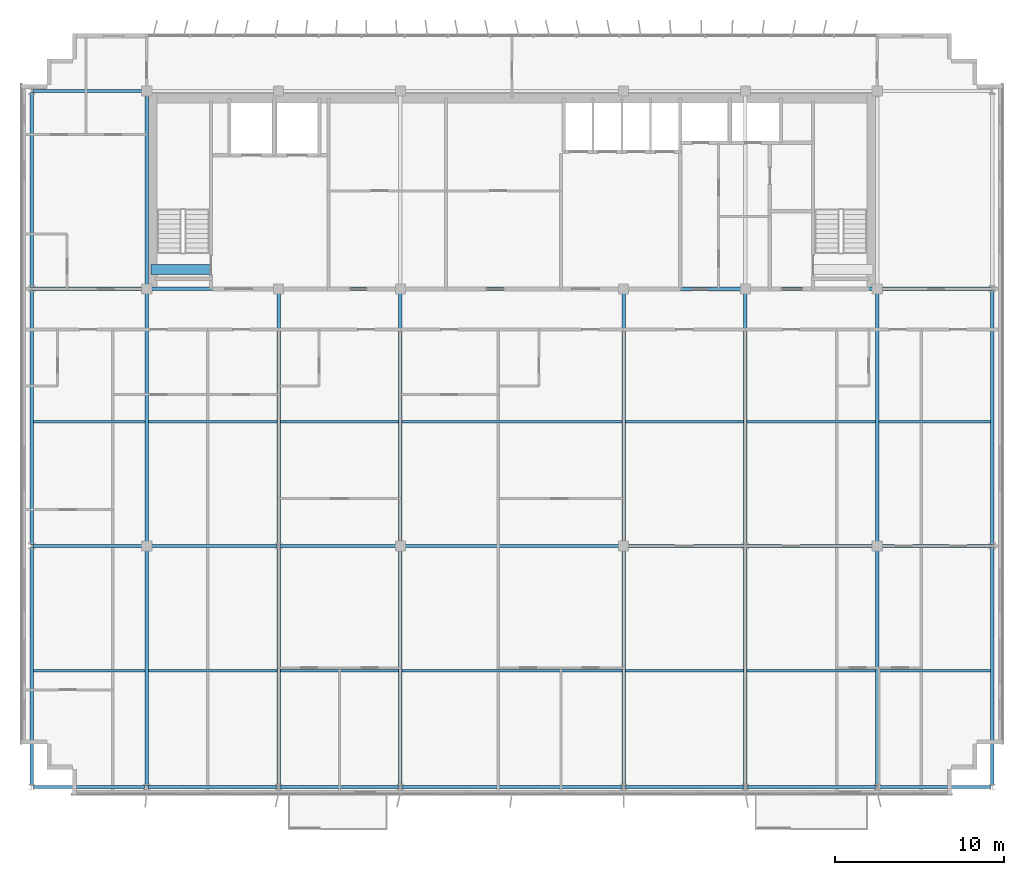
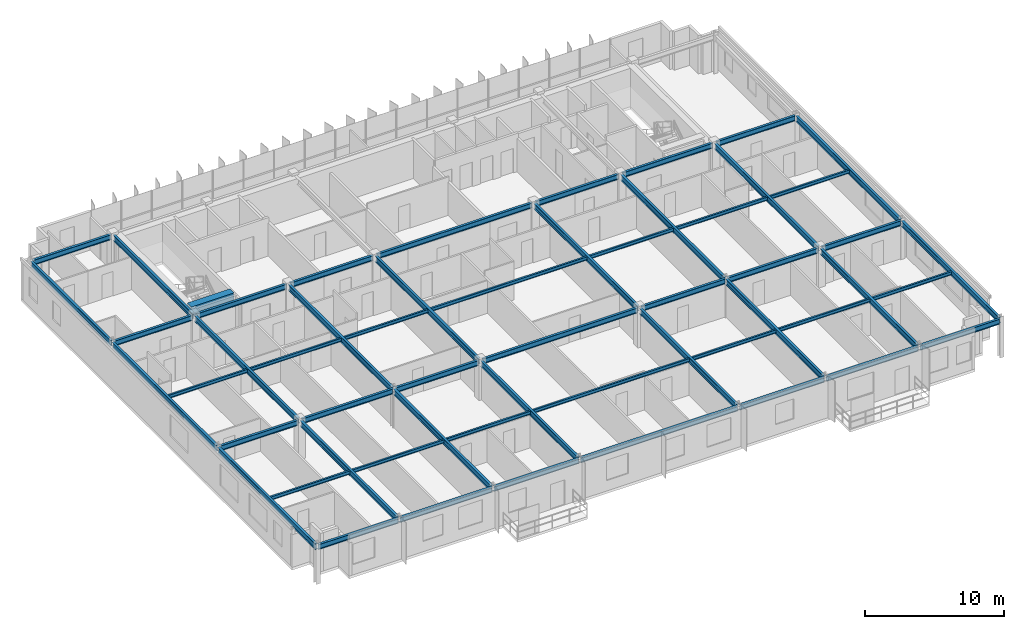
# One storey, part 5 of 23: 55 beams.
"""IFC4 building model written with IfcOpenShell, lengths in metres."""

from ifc_helpers import new_model, si_unit, direction, frame, origin, origin_2d, place, context, subcontext, project, spatial, rectangle, i_section, extrude, source, transform, mapped, material, material_profile, profile_set, type_object, element, save


model = new_model("IFC4")

# Units and contexts
model_context = context("Model", 3, precision=1e-05, world=origin(), true_north=direction((0.0, 1.0)))
body_context = subcontext(model_context, "Body", "Model", "MODEL_VIEW")
ifc_project = project(units=[si_unit("LENGTHUNIT", "METRE"), si_unit("AREAUNIT", "SQUARE_METRE"), si_unit("VOLUMEUNIT", "CUBIC_METRE"), si_unit("PLANEANGLEUNIT", "RADIAN"), si_unit("MASSUNIT", "GRAM", prefix="KILO")], contexts=[model_context])

# Site, building, storey
site_placement = place(None, origin())
site = spatial("IfcSite", under=ifc_project, at=site_placement, CompositionType="ELEMENT")
building_placement = place(site_placement, origin())
building = spatial("IfcBuilding", under=site, at=building_placement, Name="Trelvane Seafront Commons", CompositionType="ELEMENT")
storey_placement = place(building_placement, frame((0.0, 0.0, 263.10009765625)))
storey = spatial("IfcBuildingStorey", under=building, at=storey_placement, Name="L68", CompositionType="ELEMENT", Elevation=263.10009765625)

# Beams
ifc_material_1 = material(Name="Concrete C60/75", Category="concrete")
ifc_material_profile_1 = material_profile(ifc_material_1, rectangle(XDim=0.60009765625, YDim=0.89990234375, at=origin_2d()), Name="RC-600x900")
ifc_profile_set_1 = profile_set([ifc_material_profile_1], Name="Concrete C60/75")
beam_type_1 = type_object("IfcBeamType", Name="STR-LNT-RC600x900", PredefinedType="LINTEL", material=ifc_profile_set_1)
shared_shape_1 = source(origin(), body_context, "Body", "SweptSolid", [
    extrude(rectangle(XDim=0.60009765625, YDim=0.89990234375, at=origin_2d()), origin(), (0.0, 0.0, 1.0), 3.5498046875),
])
beam_1_placement = place(storey_placement, frame((15.85009765625, 34.550048828125, 2.919921875), z_axis=(1.0, 0.0, 0.0), x_axis=(0.0, 1.0, 0.0)))
element("IfcBeam", 1, at=beam_1_placement, inside=storey, type_object=beam_type_1, Name="L68 Core Coupling Lintel Beam CB-67", PredefinedType="LINTEL", context=body_context, shape_type="MappedRepresentation", body=[
    mapped(shared_shape_1, transform((0.0, 0.0, 0.0), x_axis=(1.0, 0.0, 0.0), y_axis=(0.0, 1.0, 0.0), z_axis=(0.0, 0.0, 1.0), scale=1.0)),
])
ifc_material_2 = material(Name="Steel SM355 (S355)", Category="steel")
ifc_material_profile_2 = material_profile(ifc_material_2, i_section(OverallWidth=0.199951171875, OverallDepth=0.5, WebThickness=0.010009765625, FlangeThickness=0.01611328125, at=origin_2d()), Name="H-500x200x10x16")
ifc_profile_set_2 = profile_set([ifc_material_profile_2], Name="Steel SM355 (S355)")
beam_type_2 = type_object("IfcBeamType", Name="STR-BM-H500", PredefinedType="BEAM", material=ifc_profile_set_2)
shared_shape_2 = source(origin(), body_context, "Body", "SweptSolid", [
    extrude(i_section(OverallWidth=0.199951171875, OverallDepth=0.5, WebThickness=0.010009765625, FlangeThickness=0.01611328125, at=origin_2d()), origin(), (0.0, 0.0, 1.0), 14.89990234375),
])
for number, where, z_axis, x_axis, name in (
    (2, (15.60009765625, 18.35009765625, 3.119873046875), (0.0, 1.0, 0.0), (-1.0, 0.0, 0.0), "L68 Primary Girder G-33"),
    (3, (30.60009765625, 18.35009765625, 3.119873046875), (0.0, 1.0, 0.0), (-1.0, 0.0, 0.0), "L68 Primary Girder G-39"),
    (4, (43.800048828125, 18.35009765625, 3.119873046875), (0.0, 1.0, 0.0), (-1.0, 0.0, 0.0), "L68 Primary Girder G-42"),
    (5, (58.800048828125, 18.35009765625, 3.119873046875), (0.0, 1.0, 0.0), (-1.0, 0.0, 0.0), "L68 Primary Girder G-48"),
):
    element("IfcBeam", number, at=place(storey_placement, frame(where, z_axis=z_axis, x_axis=x_axis)), inside=storey, type_object=beam_type_2, Name=name, PredefinedType="BEAM", context=body_context, shape_type="MappedRepresentation", body=[
        mapped(shared_shape_2, transform((0.0, 0.0, 0.0), x_axis=(1.0, 0.0, 0.0), y_axis=(0.0, 1.0, 0.0), z_axis=(0.0, 0.0, 1.0), scale=1.0)),
    ])
shared_shape_3 = source(origin(), body_context, "Body", "SweptSolid", [
    extrude(i_section(OverallWidth=0.199951171875, OverallDepth=0.5, WebThickness=0.010009765625, FlangeThickness=0.01611328125, at=origin_2d()), origin(), (0.0, 0.0, 1.0), 11.39990234375),
])
beam_2_placement = place(storey_placement, frame((15.60009765625, 33.550048828125, 3.119873046875), z_axis=(0.0, 1.0, 0.0), x_axis=(-1.0, 0.0, 0.0)))
element("IfcBeam", 6, at=beam_2_placement, inside=storey, type_object=beam_type_2, Name="L68 Primary Girder G-34", PredefinedType="BEAM", context=body_context, shape_type="MappedRepresentation", body=[
    mapped(shared_shape_3, transform((0.0, 0.0, 0.0), x_axis=(1.0, 0.0, 0.0), y_axis=(0.0, 1.0, 0.0), z_axis=(0.0, 0.0, 1.0), scale=1.0)),
])
ifc_material_profile_3 = material_profile(ifc_material_2, i_section(OverallWidth=0.199951171875, OverallDepth=0.449951171875, WebThickness=0.009033203125, FlangeThickness=0.013916015625, at=origin_2d()), Name="H-450x200x9x14")
ifc_profile_set_3 = profile_set([ifc_material_profile_3], Name="Steel SM355 (S355)")
beam_type_3 = type_object("IfcBeamType", Name="STR-SPD-H450", PredefinedType="SPANDREL", material=ifc_profile_set_3)
shared_shape_4 = source(origin(), body_context, "Body", "SweptSolid", [
    extrude(i_section(OverallWidth=0.199951171875, OverallDepth=0.449951171875, WebThickness=0.009033203125, FlangeThickness=0.013916015625, at=origin_2d()), origin(), (0.0, 0.0, 1.0), 6.625),
])
for number, where, z_axis, x_axis, name in (
    (7, (8.887451171875, 3.949951171875, 3.14501953125), (1.0, 0.0, 0.0), (0.0, 1.0, 0.0), "L68 Primary Girder G-01"),
    (8, (58.887451171875, 3.949951171875, 3.14501953125), (1.0, 0.0, 0.0), (0.0, 1.0, 0.0), "L68 Primary Girder G-07"),
):
    element("IfcBeam", number, at=place(storey_placement, frame(where, z_axis=z_axis, x_axis=x_axis)), inside=storey, type_object=beam_type_3, Name=name, PredefinedType="SPANDREL", context=body_context, shape_type="MappedRepresentation", body=[
        mapped(shared_shape_4, transform((0.0, 0.0, 0.0), x_axis=(1.0, 0.0, 0.0), y_axis=(0.0, 1.0, 0.0), z_axis=(0.0, 0.0, 1.0), scale=1.0)),
    ])
shared_shape_5 = source(origin(), body_context, "Body", "SweptSolid", [
    extrude(i_section(OverallWidth=0.199951171875, OverallDepth=0.449951171875, WebThickness=0.009033203125, FlangeThickness=0.013916015625, at=origin_2d()), origin(), (0.0, 0.0, 1.0), 7.625),
])
for number, where, z_axis, x_axis, name in (
    (9, (15.6875, 3.949951171875, 3.14501953125), (1.0, 0.0, 0.0), (0.0, 1.0, 0.0), "L68 Primary Girder G-02"),
    (10, (51.08740234375, 3.949951171875, 3.14501953125), (1.0, 0.0, 0.0), (0.0, 1.0, 0.0), "L68 Primary Girder G-06"),
):
    element("IfcBeam", number, at=place(storey_placement, frame(where, z_axis=z_axis, x_axis=x_axis)), inside=storey, type_object=beam_type_3, Name=name, PredefinedType="SPANDREL", context=body_context, shape_type="MappedRepresentation", body=[
        mapped(shared_shape_5, transform((0.0, 0.0, 0.0), x_axis=(1.0, 0.0, 0.0), y_axis=(0.0, 1.0, 0.0), z_axis=(0.0, 0.0, 1.0), scale=1.0)),
    ])
shared_shape_6 = source(origin(), body_context, "Body", "SweptSolid", [
    extrude(i_section(OverallWidth=0.199951171875, OverallDepth=0.449951171875, WebThickness=0.009033203125, FlangeThickness=0.013916015625, at=origin_2d()), origin(), (0.0, 0.0, 1.0), 7.02490234375),
])
beam_3_placement = place(storey_placement, frame((23.487548828125, 3.949951171875, 3.14501953125), z_axis=(1.0, 0.0, 0.0), x_axis=(0.0, 1.0, 0.0)))
element("IfcBeam", 11, at=beam_3_placement, inside=storey, type_object=beam_type_3, Name="L68 Primary Girder G-03", PredefinedType="SPANDREL", context=body_context, shape_type="MappedRepresentation", body=[
    mapped(shared_shape_6, transform((0.0, 0.0, 0.0), x_axis=(1.0, 0.0, 0.0), y_axis=(0.0, 1.0, 0.0), z_axis=(0.0, 0.0, 1.0), scale=1.0)),
])
shared_shape_7 = source(origin(), body_context, "Body", "SweptSolid", [
    extrude(i_section(OverallWidth=0.199951171875, OverallDepth=0.449951171875, WebThickness=0.009033203125, FlangeThickness=0.013916015625, at=origin_2d()), origin(), (0.0, 0.0, 1.0), 7.025146484375),
])
beam_4_placement = place(storey_placement, frame((43.887451171875, 3.949951171875, 3.14501953125), z_axis=(1.0, 0.0, 0.0), x_axis=(0.0, 1.0, 0.0)))
element("IfcBeam", 12, at=beam_4_placement, inside=storey, type_object=beam_type_3, Name="L68 Primary Girder G-05", PredefinedType="SPANDREL", context=body_context, shape_type="MappedRepresentation", body=[
    mapped(shared_shape_7, transform((0.0, 0.0, 0.0), x_axis=(1.0, 0.0, 0.0), y_axis=(0.0, 1.0, 0.0), z_axis=(0.0, 0.0, 1.0), scale=1.0)),
])
shared_shape_8 = source(origin(), body_context, "Body", "SweptSolid", [
    extrude(i_section(OverallWidth=0.199951171875, OverallDepth=0.449951171875, WebThickness=0.009033203125, FlangeThickness=0.013916015625, at=origin_2d()), origin(), (0.0, 0.0, 1.0), 6.5625),
])
for number, where, z_axis, x_axis, name in (
    (13, (8.887451171875, 18.199951171875, 3.14501953125), (1.0, 0.0, 0.0), (0.0, 1.0, 0.0), "L68 Primary Girder G-08"),
    (14, (58.949951171875, 18.199951171875, 3.14501953125), (1.0, 0.0, 0.0), (0.0, 1.0, 0.0), "L68 Primary Girder G-14"),
    (15, (8.887451171875, 33.39990234375, 3.14501953125), (1.0, 0.0, 0.0), (0.0, 1.0, 0.0), "L68 Primary Girder G-15"),
    (16, (58.949951171875, 33.39990234375, 3.14501953125), (1.0, 0.0, 0.0), (0.0, 1.0, 0.0), "L68 Primary Girder G-21"),
    (17, (8.887451171875, 45.10009765625, 3.14501953125), (1.0, 0.0, 0.0), (0.0, 1.0, 0.0), "L68 Primary Girder G-22"),
):
    element("IfcBeam", number, at=place(storey_placement, frame(where, z_axis=z_axis, x_axis=x_axis)), inside=storey, type_object=beam_type_3, Name=name, PredefinedType="SPANDREL", context=body_context, shape_type="MappedRepresentation", body=[
        mapped(shared_shape_8, transform((0.0, 0.0, 0.0), x_axis=(1.0, 0.0, 0.0), y_axis=(0.0, 1.0, 0.0), z_axis=(0.0, 0.0, 1.0), scale=1.0)),
    ])
shared_shape_9 = source(origin(), body_context, "Body", "SweptSolid", [
    extrude(i_section(OverallWidth=0.199951171875, OverallDepth=0.449951171875, WebThickness=0.009033203125, FlangeThickness=0.013916015625, at=origin_2d()), origin(), (0.0, 0.0, 1.0), 7.5625),
])
for number, where, z_axis, x_axis, name in (
    (18, (15.75, 18.199951171875, 3.14501953125), (1.0, 0.0, 0.0), (0.0, 1.0, 0.0), "L68 Primary Girder G-09"),
    (19, (51.08740234375, 18.199951171875, 3.14501953125), (1.0, 0.0, 0.0), (0.0, 1.0, 0.0), "L68 Primary Girder G-13"),
):
    element("IfcBeam", number, at=place(storey_placement, frame(where, z_axis=z_axis, x_axis=x_axis)), inside=storey, type_object=beam_type_3, Name=name, PredefinedType="SPANDREL", context=body_context, shape_type="MappedRepresentation", body=[
        mapped(shared_shape_9, transform((0.0, 0.0, 0.0), x_axis=(1.0, 0.0, 0.0), y_axis=(0.0, 1.0, 0.0), z_axis=(0.0, 0.0, 1.0), scale=1.0)),
    ])
shared_shape_10 = source(origin(), body_context, "Body", "SweptSolid", [
    extrude(i_section(OverallWidth=0.199951171875, OverallDepth=0.449951171875, WebThickness=0.009033203125, FlangeThickness=0.013916015625, at=origin_2d()), origin(), (0.0, 0.0, 1.0), 6.96240234375),
])
beam_5_placement = place(storey_placement, frame((23.487548828125, 18.199951171875, 3.14501953125), z_axis=(1.0, 0.0, 0.0), x_axis=(0.0, 1.0, 0.0)))
element("IfcBeam", 20, at=beam_5_placement, inside=storey, type_object=beam_type_3, Name="L68 Primary Girder G-10", PredefinedType="SPANDREL", context=body_context, shape_type="MappedRepresentation", body=[
    mapped(shared_shape_10, transform((0.0, 0.0, 0.0), x_axis=(1.0, 0.0, 0.0), y_axis=(0.0, 1.0, 0.0), z_axis=(0.0, 0.0, 1.0), scale=1.0)),
])
shared_shape_11 = source(origin(), body_context, "Body", "SweptSolid", [
    extrude(i_section(OverallWidth=0.199951171875, OverallDepth=0.449951171875, WebThickness=0.009033203125, FlangeThickness=0.013916015625, at=origin_2d()), origin(), (0.0, 0.0, 1.0), 6.962646484375),
])
beam_6_placement = place(storey_placement, frame((43.949951171875, 18.199951171875, 3.14501953125), z_axis=(1.0, 0.0, 0.0), x_axis=(0.0, 1.0, 0.0)))
element("IfcBeam", 21, at=beam_6_placement, inside=storey, type_object=beam_type_3, Name="L68 Primary Girder G-12", PredefinedType="SPANDREL", context=body_context, shape_type="MappedRepresentation", body=[
    mapped(shared_shape_11, transform((0.0, 0.0, 0.0), x_axis=(1.0, 0.0, 0.0), y_axis=(0.0, 1.0, 0.0), z_axis=(0.0, 0.0, 1.0), scale=1.0)),
])
shared_shape_12 = source(origin(), body_context, "Body", "SweptSolid", [
    extrude(i_section(OverallWidth=0.199951171875, OverallDepth=0.449951171875, WebThickness=0.009033203125, FlangeThickness=0.013916015625, at=origin_2d()), origin(), (0.0, 0.0, 1.0), 7.5),
])
for number, where, z_axis, x_axis, name in (
    (22, (15.75, 33.39990234375, 3.14501953125), (1.0, 0.0, 0.0), (0.0, 1.0, 0.0), "L68 Primary Girder G-16"),
    (23, (51.14990234375, 33.39990234375, 3.14501953125), (1.0, 0.0, 0.0), (0.0, 1.0, 0.0), "L68 Primary Girder G-20"),
):
    element("IfcBeam", number, at=place(storey_placement, frame(where, z_axis=z_axis, x_axis=x_axis)), inside=storey, type_object=beam_type_3, Name=name, PredefinedType="SPANDREL", context=body_context, shape_type="MappedRepresentation", body=[
        mapped(shared_shape_12, transform((0.0, 0.0, 0.0), x_axis=(1.0, 0.0, 0.0), y_axis=(0.0, 1.0, 0.0), z_axis=(0.0, 0.0, 1.0), scale=1.0)),
    ])
shared_shape_13 = source(origin(), body_context, "Body", "SweptSolid", [
    extrude(i_section(OverallWidth=0.199951171875, OverallDepth=0.449951171875, WebThickness=0.009033203125, FlangeThickness=0.013916015625, at=origin_2d()), origin(), (0.0, 0.0, 1.0), 6.89990234375),
])
beam_7_placement = place(storey_placement, frame((23.550048828125, 33.39990234375, 3.14501953125), z_axis=(1.0, 0.0, 0.0), x_axis=(0.0, 1.0, 0.0)))
element("IfcBeam", 24, at=beam_7_placement, inside=storey, type_object=beam_type_3, Name="L68 Primary Girder G-17", PredefinedType="SPANDREL", context=body_context, shape_type="MappedRepresentation", body=[
    mapped(shared_shape_13, transform((0.0, 0.0, 0.0), x_axis=(1.0, 0.0, 0.0), y_axis=(0.0, 1.0, 0.0), z_axis=(0.0, 0.0, 1.0), scale=1.0)),
])
shared_shape_14 = source(origin(), body_context, "Body", "SweptSolid", [
    extrude(i_section(OverallWidth=0.199951171875, OverallDepth=0.449951171875, WebThickness=0.009033203125, FlangeThickness=0.013916015625, at=origin_2d()), origin(), (0.0, 0.0, 1.0), 12.89990234375),
])
for number, where, z_axis, x_axis, name in (
    (25, (30.75, 18.199951171875, 3.14501953125), (1.0, 0.0, 0.0), (0.0, 1.0, 0.0), "L68 Primary Girder G-11"),
    (26, (30.75, 33.39990234375, 3.14501953125), (1.0, 0.0, 0.0), (0.0, 1.0, 0.0), "L68 Primary Girder G-18"),
):
    element("IfcBeam", number, at=place(storey_placement, frame(where, z_axis=z_axis, x_axis=x_axis)), inside=storey, type_object=beam_type_3, Name=name, PredefinedType="SPANDREL", context=body_context, shape_type="MappedRepresentation", body=[
        mapped(shared_shape_14, transform((0.0, 0.0, 0.0), x_axis=(1.0, 0.0, 0.0), y_axis=(0.0, 1.0, 0.0), z_axis=(0.0, 0.0, 1.0), scale=1.0)),
    ])
shared_shape_15 = source(origin(), body_context, "Body", "SweptSolid", [
    extrude(i_section(OverallWidth=0.199951171875, OverallDepth=0.449951171875, WebThickness=0.009033203125, FlangeThickness=0.013916015625, at=origin_2d()), origin(), (0.0, 0.0, 1.0), 6.900146484375),
])
beam_8_placement = place(storey_placement, frame((43.949951171875, 33.39990234375, 3.14501953125), z_axis=(1.0, 0.0, 0.0), x_axis=(0.0, 1.0, 0.0)))
element("IfcBeam", 27, at=beam_8_placement, inside=storey, type_object=beam_type_3, Name="L68 Primary Girder G-19", PredefinedType="SPANDREL", context=body_context, shape_type="MappedRepresentation", body=[
    mapped(shared_shape_15, transform((0.0, 0.0, 0.0), x_axis=(1.0, 0.0, 0.0), y_axis=(0.0, 1.0, 0.0), z_axis=(0.0, 0.0, 1.0), scale=1.0)),
])
shared_shape_16 = source(origin(), body_context, "Body", "SweptSolid", [
    extrude(i_section(OverallWidth=0.199951171875, OverallDepth=0.5, WebThickness=0.010009765625, FlangeThickness=0.01611328125, at=origin_2d()), origin(), (0.0, 0.0, 1.0), 14.074951171875),
])
for number, where, z_axis, x_axis, name in (
    (28, (8.800048828125, 4.03759765625, 3.119873046875), (0.0, 1.0, 0.0), (-1.0, 0.0, 0.0), "L68 Primary Girder G-29"),
    (29, (23.39990234375, 4.03759765625, 3.119873046875), (0.0, 1.0, 0.0), (-1.0, 0.0, 0.0), "L68 Primary Girder G-35"),
    (30, (51.0, 4.03759765625, 3.119873046875), (0.0, 1.0, 0.0), (-1.0, 0.0, 0.0), "L68 Primary Girder G-44"),
    (31, (65.60009765625, 4.03759765625, 3.119873046875), (0.0, 1.0, 0.0), (-1.0, 0.0, 0.0), "L68 Primary Girder G-50"),
):
    element("IfcBeam", number, at=place(storey_placement, frame(where, z_axis=z_axis, x_axis=x_axis)), inside=storey, type_object=beam_type_2, Name=name, PredefinedType="BEAM", context=body_context, shape_type="MappedRepresentation", body=[
        mapped(shared_shape_16, transform((0.0, 0.0, 0.0), x_axis=(1.0, 0.0, 0.0), y_axis=(0.0, 1.0, 0.0), z_axis=(0.0, 0.0, 1.0), scale=1.0)),
    ])
shared_shape_17 = source(origin(), body_context, "Body", "SweptSolid", [
    extrude(i_section(OverallWidth=0.199951171875, OverallDepth=0.5, WebThickness=0.010009765625, FlangeThickness=0.01611328125, at=origin_2d()), origin(), (0.0, 0.0, 1.0), 15.02490234375),
])
for number, where, z_axis, x_axis, name in (
    (32, (8.800048828125, 18.28759765625, 3.119873046875), (0.0, 1.0, 0.0), (-1.0, 0.0, 0.0), "L68 Primary Girder G-30"),
    (33, (65.60009765625, 18.28759765625, 3.119873046875), (0.0, 1.0, 0.0), (-1.0, 0.0, 0.0), "L68 Primary Girder G-51"),
):
    element("IfcBeam", number, at=place(storey_placement, frame(where, z_axis=z_axis, x_axis=x_axis)), inside=storey, type_object=beam_type_2, Name=name, PredefinedType="BEAM", context=body_context, shape_type="MappedRepresentation", body=[
        mapped(shared_shape_17, transform((0.0, 0.0, 0.0), x_axis=(1.0, 0.0, 0.0), y_axis=(0.0, 1.0, 0.0), z_axis=(0.0, 0.0, 1.0), scale=1.0)),
    ])
shared_shape_18 = source(origin(), body_context, "Body", "SweptSolid", [
    extrude(i_section(OverallWidth=0.199951171875, OverallDepth=0.5, WebThickness=0.010009765625, FlangeThickness=0.01611328125, at=origin_2d()), origin(), (0.0, 0.0, 1.0), 11.52490234375),
])
beam_9_placement = place(storey_placement, frame((8.800048828125, 33.487548828125, 3.119873046875), z_axis=(0.0, 1.0, 0.0), x_axis=(-1.0, 0.0, 0.0)))
element("IfcBeam", 34, at=beam_9_placement, inside=storey, type_object=beam_type_2, Name="L68 Primary Girder G-31", PredefinedType="BEAM", context=body_context, shape_type="MappedRepresentation", body=[
    mapped(shared_shape_18, transform((0.0, 0.0, 0.0), x_axis=(1.0, 0.0, 0.0), y_axis=(0.0, 1.0, 0.0), z_axis=(0.0, 0.0, 1.0), scale=1.0)),
])
shared_shape_19 = source(origin(), body_context, "Body", "SweptSolid", [
    extrude(i_section(OverallWidth=0.199951171875, OverallDepth=0.5, WebThickness=0.010009765625, FlangeThickness=0.01611328125, at=origin_2d()), origin(), (0.0, 0.0, 1.0), 14.012451171875),
])
for number, where, z_axis, x_axis, name in (
    (35, (15.60009765625, 4.03759765625, 3.119873046875), (0.0, 1.0, 0.0), (-1.0, 0.0, 0.0), "L68 Primary Girder G-32"),
    (36, (30.60009765625, 4.03759765625, 3.119873046875), (0.0, 1.0, 0.0), (-1.0, 0.0, 0.0), "L68 Primary Girder G-38"),
    (37, (43.800048828125, 4.03759765625, 3.119873046875), (0.0, 1.0, 0.0), (-1.0, 0.0, 0.0), "L68 Primary Girder G-41"),
    (38, (58.800048828125, 4.03759765625, 3.119873046875), (0.0, 1.0, 0.0), (-1.0, 0.0, 0.0), "L68 Primary Girder G-47"),
):
    element("IfcBeam", number, at=place(storey_placement, frame(where, z_axis=z_axis, x_axis=x_axis)), inside=storey, type_object=beam_type_2, Name=name, PredefinedType="BEAM", context=body_context, shape_type="MappedRepresentation", body=[
        mapped(shared_shape_19, transform((0.0, 0.0, 0.0), x_axis=(1.0, 0.0, 0.0), y_axis=(0.0, 1.0, 0.0), z_axis=(0.0, 0.0, 1.0), scale=1.0)),
    ])
shared_shape_20 = source(origin(), body_context, "Body", "SweptSolid", [
    extrude(i_section(OverallWidth=0.199951171875, OverallDepth=0.5, WebThickness=0.010009765625, FlangeThickness=0.01611328125, at=origin_2d()), origin(), (0.0, 0.0, 1.0), 14.96240234375),
])
for number, where, z_axis, x_axis, name in (
    (39, (23.39990234375, 18.28759765625, 3.119873046875), (0.0, 1.0, 0.0), (-1.0, 0.0, 0.0), "L68 Primary Girder G-36"),
    (40, (51.0, 18.28759765625, 3.119873046875), (0.0, 1.0, 0.0), (-1.0, 0.0, 0.0), "L68 Primary Girder G-45"),
):
    element("IfcBeam", number, at=place(storey_placement, frame(where, z_axis=z_axis, x_axis=x_axis)), inside=storey, type_object=beam_type_2, Name=name, PredefinedType="BEAM", context=body_context, shape_type="MappedRepresentation", body=[
        mapped(shared_shape_20, transform((0.0, 0.0, 0.0), x_axis=(1.0, 0.0, 0.0), y_axis=(0.0, 1.0, 0.0), z_axis=(0.0, 0.0, 1.0), scale=1.0)),
    ])
ifc_material_profile_4 = material_profile(ifc_material_2, i_section(OverallWidth=0.14990234375, OverallDepth=0.300048828125, WebThickness=0.006591796875, FlangeThickness=0.009033203125, at=origin_2d()), Name="H-300x150x6.5x9")
ifc_profile_set_4 = profile_set([ifc_material_profile_4], Name="Steel SM355 (S355)")
beam_type_4 = type_object("IfcBeamType", Name="STR-JST-H300", PredefinedType="JOIST", material=ifc_profile_set_4)
shared_shape_21 = source(origin(), body_context, "Body", "SweptSolid", [
    extrude(i_section(OverallWidth=0.14990234375, OverallDepth=0.300048828125, WebThickness=0.006591796875, FlangeThickness=0.009033203125, at=origin_2d()), origin(), (0.0, 0.0, 1.0), 6.60009765625),
])
for number, where, z_axis, x_axis, name in (
    (41, (8.89990234375, 10.824951171875, 3.219970703125), (1.0, 0.0, 0.0), (0.0, 1.0, 0.0), "L68 Secondary Floor Joist B-53"),
    (42, (58.89990234375, 10.824951171875, 3.219970703125), (1.0, 0.0, 0.0), (0.0, 1.0, 0.0), "L68 Secondary Floor Joist B-59"),
    (43, (8.89990234375, 25.550048828125, 3.219970703125), (1.0, 0.0, 0.0), (0.0, 1.0, 0.0), "L68 Secondary Floor Joist B-60"),
    (44, (58.89990234375, 25.550048828125, 3.219970703125), (1.0, 0.0, 0.0), (0.0, 1.0, 0.0), "L68 Secondary Floor Joist B-66"),
):
    element("IfcBeam", number, at=place(storey_placement, frame(where, z_axis=z_axis, x_axis=x_axis)), inside=storey, type_object=beam_type_4, Name=name, PredefinedType="JOIST", context=body_context, shape_type="MappedRepresentation", body=[
        mapped(shared_shape_21, transform((0.0, 0.0, 0.0), x_axis=(1.0, 0.0, 0.0), y_axis=(0.0, 1.0, 0.0), z_axis=(0.0, 0.0, 1.0), scale=1.0)),
    ])
shared_shape_22 = source(origin(), body_context, "Body", "SweptSolid", [
    extrude(i_section(OverallWidth=0.14990234375, OverallDepth=0.300048828125, WebThickness=0.006591796875, FlangeThickness=0.009033203125, at=origin_2d()), origin(), (0.0, 0.0, 1.0), 7.60009765625),
])
for number, where, z_axis, x_axis, name in (
    (45, (15.699951171875, 10.824951171875, 3.219970703125), (1.0, 0.0, 0.0), (0.0, 1.0, 0.0), "L68 Secondary Floor Joist B-54"),
    (46, (15.699951171875, 25.550048828125, 3.219970703125), (1.0, 0.0, 0.0), (0.0, 1.0, 0.0), "L68 Secondary Floor Joist B-61"),
):
    element("IfcBeam", number, at=place(storey_placement, frame(where, z_axis=z_axis, x_axis=x_axis)), inside=storey, type_object=beam_type_4, Name=name, PredefinedType="JOIST", context=body_context, shape_type="MappedRepresentation", body=[
        mapped(shared_shape_22, transform((0.0, 0.0, 0.0), x_axis=(1.0, 0.0, 0.0), y_axis=(0.0, 1.0, 0.0), z_axis=(0.0, 0.0, 1.0), scale=1.0)),
    ])
shared_shape_23 = source(origin(), body_context, "Body", "SweptSolid", [
    extrude(i_section(OverallWidth=0.14990234375, OverallDepth=0.300048828125, WebThickness=0.006591796875, FlangeThickness=0.009033203125, at=origin_2d()), origin(), (0.0, 0.0, 1.0), 7.0),
])
for number, where, z_axis, x_axis, name in (
    (47, (23.5, 10.824951171875, 3.219970703125), (1.0, 0.0, 0.0), (0.0, 1.0, 0.0), "L68 Secondary Floor Joist B-55"),
    (48, (43.89990234375, 10.824951171875, 3.219970703125), (1.0, 0.0, 0.0), (0.0, 1.0, 0.0), "L68 Secondary Floor Joist B-57"),
    (49, (23.5, 25.550048828125, 3.219970703125), (1.0, 0.0, 0.0), (0.0, 1.0, 0.0), "L68 Secondary Floor Joist B-62"),
    (50, (43.89990234375, 25.550048828125, 3.219970703125), (1.0, 0.0, 0.0), (0.0, 1.0, 0.0), "L68 Secondary Floor Joist B-64"),
):
    element("IfcBeam", number, at=place(storey_placement, frame(where, z_axis=z_axis, x_axis=x_axis)), inside=storey, type_object=beam_type_4, Name=name, PredefinedType="JOIST", context=body_context, shape_type="MappedRepresentation", body=[
        mapped(shared_shape_23, transform((0.0, 0.0, 0.0), x_axis=(1.0, 0.0, 0.0), y_axis=(0.0, 1.0, 0.0), z_axis=(0.0, 0.0, 1.0), scale=1.0)),
    ])
shared_shape_24 = source(origin(), body_context, "Body", "SweptSolid", [
    extrude(i_section(OverallWidth=0.14990234375, OverallDepth=0.300048828125, WebThickness=0.006591796875, FlangeThickness=0.009033203125, at=origin_2d()), origin(), (0.0, 0.0, 1.0), 7.599853515625),
])
for number, where, z_axis, x_axis, name in (
    (51, (51.10009765625, 10.824951171875, 3.219970703125), (1.0, 0.0, 0.0), (0.0, 1.0, 0.0), "L68 Secondary Floor Joist B-58"),
    (52, (51.10009765625, 25.550048828125, 3.219970703125), (1.0, 0.0, 0.0), (0.0, 1.0, 0.0), "L68 Secondary Floor Joist B-65"),
):
    element("IfcBeam", number, at=place(storey_placement, frame(where, z_axis=z_axis, x_axis=x_axis)), inside=storey, type_object=beam_type_4, Name=name, PredefinedType="JOIST", context=body_context, shape_type="MappedRepresentation", body=[
        mapped(shared_shape_24, transform((0.0, 0.0, 0.0), x_axis=(1.0, 0.0, 0.0), y_axis=(0.0, 1.0, 0.0), z_axis=(0.0, 0.0, 1.0), scale=1.0)),
    ])
shared_shape_25 = source(origin(), body_context, "Body", "SweptSolid", [
    extrude(i_section(OverallWidth=0.14990234375, OverallDepth=0.300048828125, WebThickness=0.006591796875, FlangeThickness=0.009033203125, at=origin_2d()), origin(), (0.0, 0.0, 1.0), 13.0),
])
for number, where, z_axis, x_axis, name in (
    (53, (30.699951171875, 10.824951171875, 3.219970703125), (1.0, 0.0, 0.0), (0.0, 1.0, 0.0), "L68 Secondary Floor Joist B-56"),
    (54, (30.699951171875, 25.550048828125, 3.219970703125), (1.0, 0.0, 0.0), (0.0, 1.0, 0.0), "L68 Secondary Floor Joist B-63"),
):
    element("IfcBeam", number, at=place(storey_placement, frame(where, z_axis=z_axis, x_axis=x_axis)), inside=storey, type_object=beam_type_4, Name=name, PredefinedType="JOIST", context=body_context, shape_type="MappedRepresentation", body=[
        mapped(shared_shape_25, transform((0.0, 0.0, 0.0), x_axis=(1.0, 0.0, 0.0), y_axis=(0.0, 1.0, 0.0), z_axis=(0.0, 0.0, 1.0), scale=1.0)),
    ])
shared_shape_26 = source(origin(), body_context, "Body", "SweptSolid", [
    extrude(i_section(OverallWidth=0.199951171875, OverallDepth=0.449951171875, WebThickness=0.009033203125, FlangeThickness=0.013916015625, at=origin_2d()), origin(), (0.0, 0.0, 1.0), 13.02490234375),
])
beam_10_placement = place(storey_placement, frame((30.6875, 3.949951171875, 3.14501953125), z_axis=(1.0, 0.0, 0.0), x_axis=(0.0, 1.0, 0.0)))
element("IfcBeam", 55, at=beam_10_placement, inside=storey, type_object=beam_type_3, Name="L68 Primary Girder G-04", PredefinedType="SPANDREL", context=body_context, shape_type="MappedRepresentation", body=[
    mapped(shared_shape_26, transform((0.0, 0.0, 0.0), x_axis=(1.0, 0.0, 0.0), y_axis=(0.0, 1.0, 0.0), z_axis=(0.0, 0.0, 1.0), scale=1.0)),
])

save(model, "model.ifc")
